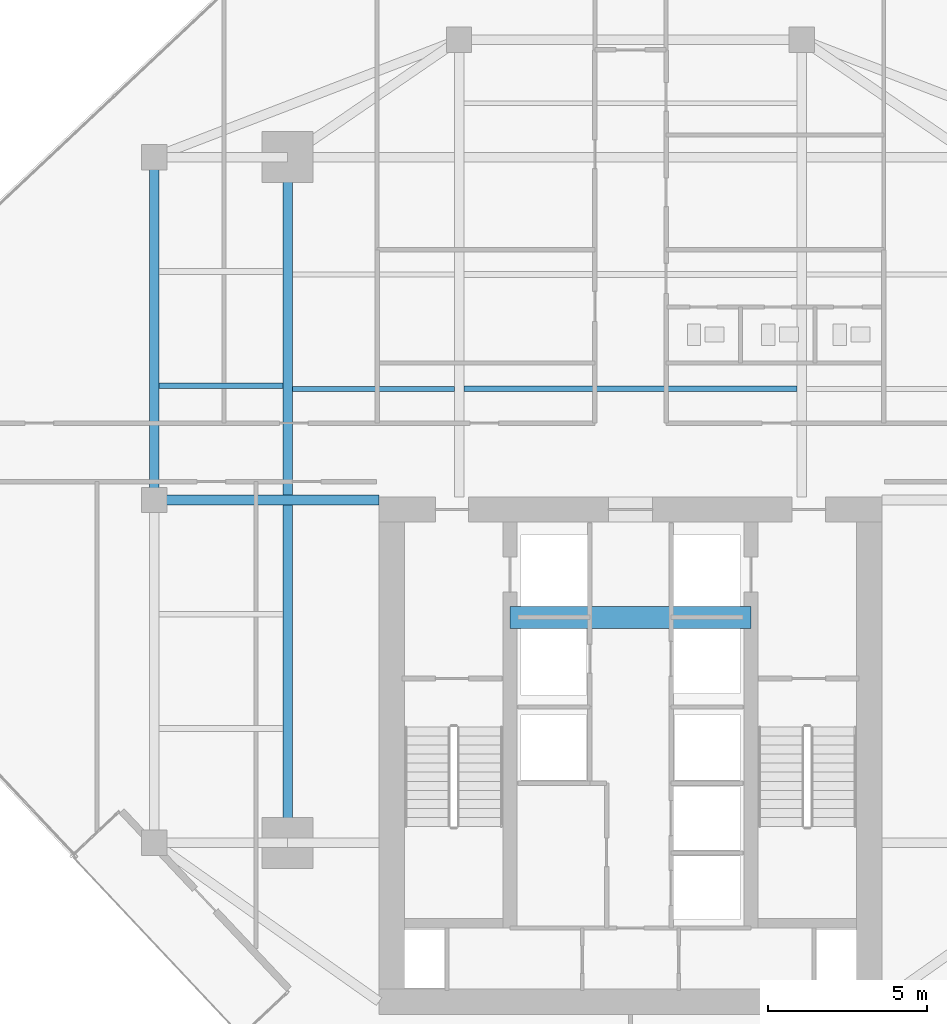
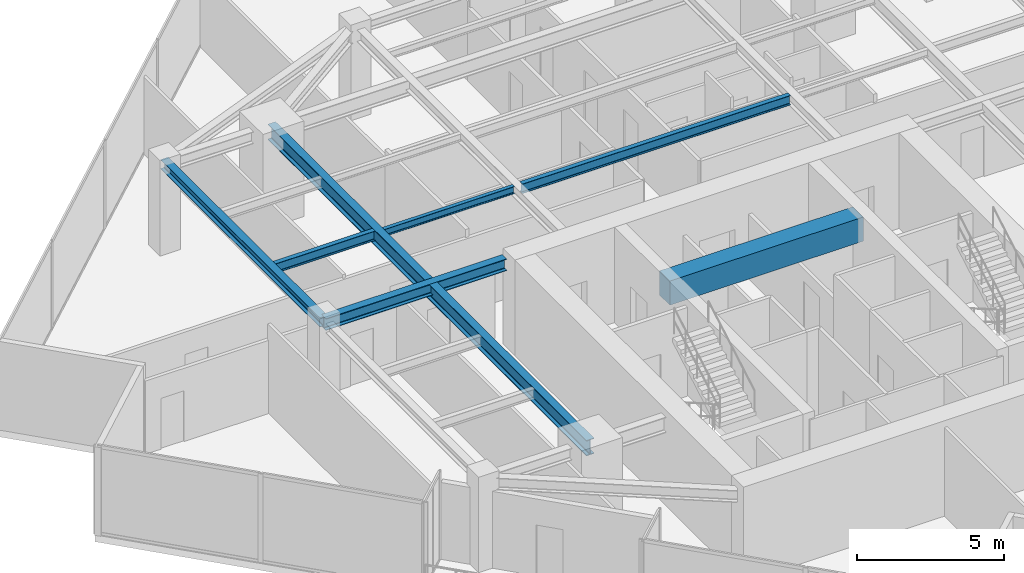
# One storey, part 8 of 25: 7 beams.
"""IFC4 building model written with IfcOpenShell, lengths in metres."""

from ifc_helpers import new_model, si_unit, direction, frame, origin, origin_2d, place, context, subcontext, project, spatial, rectangle, i_section, extrude, source, transform, mapped, material, material_profile, profile_set, type_object, type_shapes, element, save


model = new_model("IFC4")

# Units and contexts
model_context = context("Model", 3, precision=1e-05, world=origin(), true_north=direction((0.0, 1.0)))
body_context = subcontext(model_context, "Body", "Model", "MODEL_VIEW")
ifc_project = project(units=[si_unit("LENGTHUNIT", "METRE"), si_unit("AREAUNIT", "SQUARE_METRE"), si_unit("VOLUMEUNIT", "CUBIC_METRE"), si_unit("PLANEANGLEUNIT", "RADIAN"), si_unit("MASSUNIT", "GRAM", prefix="KILO")], contexts=[model_context])

# Site, building, storey
site_placement = place(None, origin())
site = spatial("IfcSite", under=ifc_project, at=site_placement, CompositionType="ELEMENT")
building_placement = place(site_placement, origin())
building = spatial("IfcBuilding", under=site, at=building_placement, Name="Krantzveldt Concourse Tower", CompositionType="ELEMENT")
storey_placement = place(building_placement, frame((0.0, 0.0, 238.89990234375)))
storey = spatial("IfcBuildingStorey", under=building, at=storey_placement, Name="L58", CompositionType="ELEMENT", Elevation=238.89990234375)

# Beams
ifc_material_1 = material(Name="Steel S355JR", Category="steel")
ifc_material_profile_1 = material_profile(ifc_material_1, i_section(OverallWidth=0.300048828125, OverallDepth=0.639892578125, WebThickness=0.013427734375, FlangeThickness=0.02587890625, FilletRadius=0.027099609375, at=origin_2d()), Name="Steel S355JR", Category="steel")
ifc_profile_set_1 = profile_set([ifc_material_profile_1], Name="Steel S355JR - HEA 650")
beam_type_1 = type_object("IfcBeamType", Name="BM-B-HEA650", PredefinedType="BEAM", material=ifc_profile_set_1)
shared_shape_1 = source(origin(), body_context, "Body", "SweptSolid", [
    extrude(i_section(OverallWidth=0.300048828125, OverallDepth=0.639892578125, WebThickness=0.013427734375, FlangeThickness=0.02587890625, FilletRadius=0.027099609375, at=origin_2d()), origin(), (0.0, 0.0, 1.0), 21.60009765625),
])
type_shapes(beam_type_1, [shared_shape_1])
beam_1_placement = place(storey_placement, frame((25.199951171875, 15.89990234375, 3.35009765625), z_axis=(0.0, 1.0, 0.0), x_axis=(-1.0, 0.0, 0.0)))
element("IfcBeam", 1, at=beam_1_placement, inside=storey, type_object=beam_type_1, Name="L58 Tower Girder BG-MW", PredefinedType="BEAM", context=body_context, shape_type="MappedRepresentation", body=[
    mapped(shared_shape_1, transform((0.0, 0.0, 0.0), x_axis=(1.0, 0.0, 0.0), y_axis=(0.0, 1.0, 0.0), z_axis=(0.0, 0.0, 1.0), scale=1.0)),
])
ifc_material_profile_2 = material_profile(ifc_material_1, i_section(OverallWidth=0.179931640625, OverallDepth=0.39990234375, WebThickness=0.008544921875, FlangeThickness=0.013427734375, FilletRadius=0.02099609375, at=origin_2d()), Name="Steel S355JR", Category="steel")
ifc_profile_set_2 = profile_set([ifc_material_profile_2], Name="Steel S355JR - IPE 400")
beam_type_2 = type_object("IfcBeamType", Name="BM-J-IPE400", PredefinedType="JOIST", material=ifc_profile_set_2)
shared_shape_2 = source(origin(), body_context, "Body", "SweptSolid", [
    extrude(i_section(OverallWidth=0.179931640625, OverallDepth=0.39990234375, WebThickness=0.008544921875, FlangeThickness=0.013427734375, FilletRadius=0.02099609375, at=origin_2d()), origin(), (0.0, 0.0, 1.0), 10.5),
])
beam_2_placement = place(storey_placement, frame((30.75, 30.199951171875, 3.47021484375), z_axis=(1.0, 0.0, 0.0), x_axis=(0.0, 1.0, 0.0)))
element("IfcBeam", 2, at=beam_2_placement, inside=storey, type_object=beam_type_2, Name="L58 Secondary Floor Joist JN-C1", PredefinedType="JOIST", context=body_context, shape_type="MappedRepresentation", body=[
    mapped(shared_shape_2, transform((0.0, 0.0, 0.0), x_axis=(1.0, 0.0, 0.0), y_axis=(0.0, 1.0, 0.0), z_axis=(0.0, 0.0, 1.0), scale=1.0)),
])
ifc_material_2 = material(Name="Concrete C50/60", Category="concrete")
ifc_material_profile_3 = material_profile(ifc_material_2, rectangle(XDim=0.699951171875, YDim=1.0, at=origin_2d()), Name="Concrete C50/60", Category="concrete")
ifc_profile_set_3 = profile_set([ifc_material_profile_3], Name="Concrete C50/60 - RC-CB 700x1000")
beam_type_3 = type_object("IfcBeamType", Name="BM-CB-1000", PredefinedType="LINTEL", material=ifc_profile_set_3)
shared_shape_3 = source(origin(), body_context, "Body", "SweptSolid", [
    extrude(rectangle(XDim=0.699951171875, YDim=1.0, at=origin_2d()), origin(), (0.0, 0.0, 1.0), 7.580078125),
])
type_shapes(beam_type_3, [shared_shape_3])
beam_3_placement = place(storey_placement, frame((32.2099609375, 23.0, 3.170166015625), z_axis=(1.0, 0.0, 0.0), x_axis=(0.0, 1.0, 0.0)))
element("IfcBeam", 3, at=beam_3_placement, inside=storey, type_object=beam_type_3, Name="CB-L58-01", PredefinedType="LINTEL", context=body_context, shape_type="MappedRepresentation", body=[
    mapped(shared_shape_3, transform((0.0, 0.0, 0.0), x_axis=(1.0, 0.0, 0.0), y_axis=(0.0, 1.0, 0.0), z_axis=(0.0, 0.0, 1.0), scale=1.0)),
])
ifc_material_profile_4 = material_profile(ifc_material_1, i_section(OverallWidth=0.300048828125, OverallDepth=0.389892578125, WebThickness=0.010986328125, FlangeThickness=0.01904296875, FilletRadius=0.027099609375, at=origin_2d()), Name="Steel S355JR", Category="steel")
ifc_profile_set_4 = profile_set([ifc_material_profile_4], Name="Steel S355JR - HEA 400")
beam_type_4 = type_object("IfcBeamType", Name="BM-SP-HEA400", PredefinedType="SPANDREL", material=ifc_profile_set_4)
shared_shape_4 = source(origin(), body_context, "Body", "SweptSolid", [
    extrude(i_section(OverallWidth=0.300048828125, OverallDepth=0.389892578125, WebThickness=0.010986328125, FlangeThickness=0.01904296875, FilletRadius=0.027099609375, at=origin_2d()), origin(), (0.0, 0.0, 1.0), 10.800048828125),
])
type_shapes(beam_type_4, [shared_shape_4])
beam_4_placement = place(storey_placement, frame((21.0, 26.699951171875, 3.47509765625), z_axis=(0.0, 1.0, 0.0), x_axis=(-1.0, 0.0, 0.0)))
element("IfcBeam", 4, at=beam_4_placement, inside=storey, type_object=beam_type_4, Name="L58 Tower Girder SP-R02", PredefinedType="SPANDREL", context=body_context, shape_type="MappedRepresentation", body=[
    mapped(shared_shape_4, transform((0.0, 0.0, 0.0), x_axis=(1.0, 0.0, 0.0), y_axis=(0.0, 1.0, 0.0), z_axis=(0.0, 0.0, 1.0), scale=1.0)),
])
ifc_material_profile_5 = material_profile(ifc_material_1, i_section(OverallWidth=0.300048828125, OverallDepth=0.489990234375, WebThickness=0.011962890625, FlangeThickness=0.02294921875, FilletRadius=0.027099609375, at=origin_2d()), Name="Steel S355JR", Category="steel")
ifc_profile_set_5 = profile_set([ifc_material_profile_5], Name="Steel S355JR - HEA 500")
beam_type_5 = type_object("IfcBeamType", Name="BM-B-HEA500", PredefinedType="BEAM", material=ifc_profile_set_5)
shared_shape_5 = source(origin(), body_context, "Body", "SweptSolid", [
    extrude(i_section(OverallWidth=0.300048828125, OverallDepth=0.489990234375, WebThickness=0.011962890625, FlangeThickness=0.02294921875, FilletRadius=0.027099609375, at=origin_2d()), origin(), (0.0, 0.0, 1.0), 7.080078125),
])
type_shapes(beam_type_5, [shared_shape_5])
beam_5_placement = place(storey_placement, frame((21.0, 26.699951171875, 3.425048828125), z_axis=(1.0, 0.0, 0.0), x_axis=(0.0, 1.0, 0.0)))
element("IfcBeam", 5, at=beam_5_placement, inside=storey, type_object=beam_type_5, Name="L58 Tower Girder BG-CW2", PredefinedType="BEAM", context=body_context, shape_type="MappedRepresentation", body=[
    mapped(shared_shape_5, transform((0.0, 0.0, 0.0), x_axis=(1.0, 0.0, 0.0), y_axis=(0.0, 1.0, 0.0), z_axis=(0.0, 0.0, 1.0), scale=1.0)),
])
ifc_material_profile_6 = material_profile(ifc_material_1, i_section(OverallWidth=0.14990234375, OverallDepth=0.300048828125, WebThickness=0.007080078125, FlangeThickness=0.0107421875, FilletRadius=0.014892578125, at=origin_2d()), Name="Steel S355JR", Category="steel")
ifc_profile_set_6 = profile_set([ifc_material_profile_6], Name="Steel S355JR - IPE 300")
beam_type_6 = type_object("IfcBeamType", Name="BM-J-IPE300", PredefinedType="JOIST", material=ifc_profile_set_6)
shared_shape_6 = source(origin(), body_context, "Body", "SweptSolid", [
    extrude(i_section(OverallWidth=0.14990234375, OverallDepth=0.300048828125, WebThickness=0.007080078125, FlangeThickness=0.0107421875, FilletRadius=0.014892578125, at=origin_2d()), origin(), (0.0, 0.0, 1.0), 5.099853515625),
])
type_shapes(beam_type_6, [shared_shape_6])
beam_6_placement = place(storey_placement, frame((25.35009765625, 30.199951171875, 3.52001953125), z_axis=(1.0, 0.0, 0.0), x_axis=(0.0, 1.0, 0.0)))
element("IfcBeam", 6, at=beam_6_placement, inside=storey, type_object=beam_type_6, Name="L58 Secondary Floor Joist JN-W1", PredefinedType="JOIST", context=body_context, shape_type="MappedRepresentation", body=[
    mapped(shared_shape_6, transform((0.0, 0.0, 0.0), x_axis=(1.0, 0.0, 0.0), y_axis=(0.0, 1.0, 0.0), z_axis=(0.0, 0.0, 1.0), scale=1.0)),
])
shared_shape_7 = source(origin(), body_context, "Body", "SweptSolid", [
    extrude(i_section(OverallWidth=0.179931640625, OverallDepth=0.39990234375, WebThickness=0.008544921875, FlangeThickness=0.013427734375, FilletRadius=0.02099609375, at=origin_2d()), origin(), (0.0, 0.0, 1.0), 3.900146484375),
])
type_shapes(beam_type_2, [shared_shape_2, shared_shape_7])
beam_7_placement = place(storey_placement, frame((21.14990234375, 30.300048828125, 3.47021484375), z_axis=(1.0, 0.0, 0.0), x_axis=(0.0, 1.0, 0.0)))
element("IfcBeam", 7, at=beam_7_placement, inside=storey, type_object=beam_type_2, Name="L58 Secondary Floor Joist JW-3", PredefinedType="JOIST", context=body_context, shape_type="MappedRepresentation", body=[
    mapped(shared_shape_7, transform((0.0, 0.0, 0.0), x_axis=(1.0, 0.0, 0.0), y_axis=(0.0, 1.0, 0.0), z_axis=(0.0, 0.0, 1.0), scale=1.0)),
])

save(model, "model.ifc")
